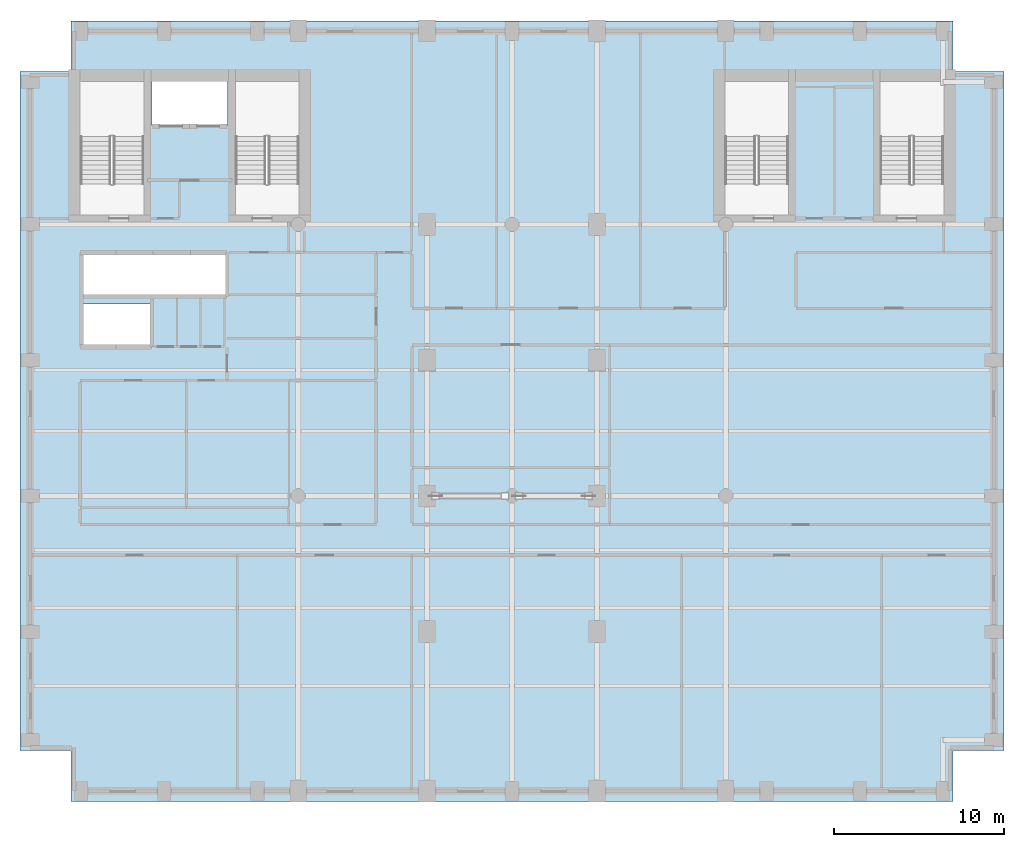
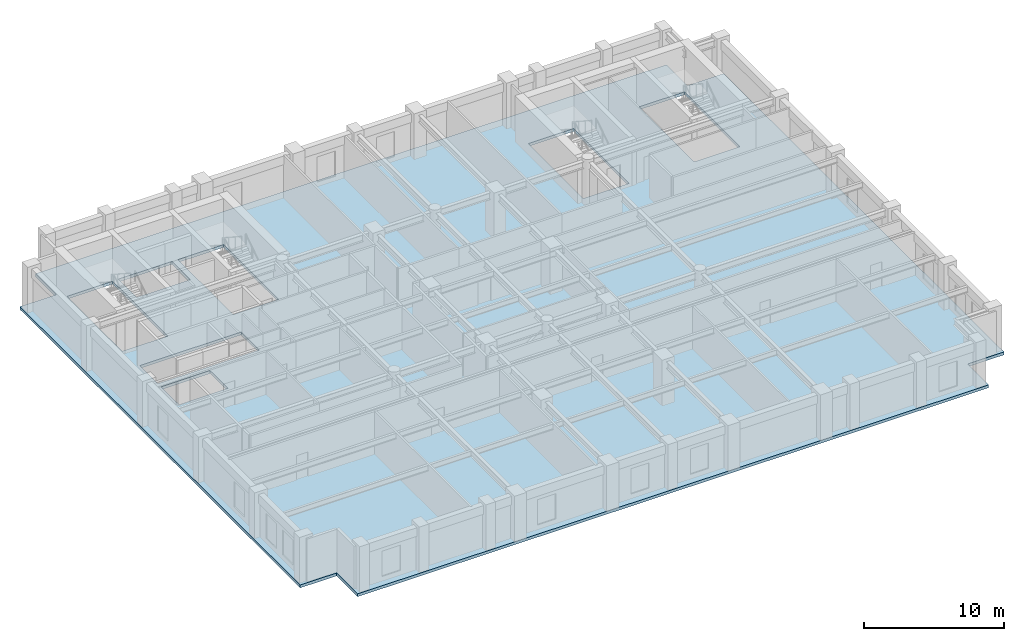
# One storey, part 4 of 11: 1 slab.
"""IFC4 building model written with IfcOpenShell, lengths in metres."""

from ifc_helpers import new_model, si_unit, direction, frame, origin, place, context, subcontext, project, spatial, polyline, outline, extrude, material, layer, layer_set, type_object, element, save


model = new_model("IFC4")

# Units and contexts
model_context = context("Model", 3, precision=1e-05, world=origin(), true_north=direction((0.0, 1.0)))
body_context = subcontext(model_context, "Body", "Model", "MODEL_VIEW")
ifc_project = project(units=[si_unit("LENGTHUNIT", "METRE"), si_unit("AREAUNIT", "SQUARE_METRE"), si_unit("VOLUMEUNIT", "CUBIC_METRE"), si_unit("PLANEANGLEUNIT", "RADIAN"), si_unit("MASSUNIT", "GRAM", prefix="KILO")], contexts=[model_context])

# Site, building, storey
site_placement = place(None, origin())
site = spatial("IfcSite", under=ifc_project, at=site_placement, CompositionType="ELEMENT")
building_placement = place(site_placement, origin())
building = spatial("IfcBuilding", under=site, at=building_placement, Name="Sulina Concourse Tower", CompositionType="ELEMENT")
storey_placement = place(building_placement, frame((0.0, 0.0, 218.60009765625)))
storey = spatial("IfcBuildingStorey", under=building, at=storey_placement, Name="L53", CompositionType="ELEMENT", Elevation=218.60009765625)

# Slab
ifc_material = material(Name="Concrete C50/60", Category="concrete")
ifc_layer = layer(ifc_material, 0.25)
ifc_layer_set = layer_set([ifc_layer], Name="Concrete C50/60")
slab_type = type_object("IfcSlabType", Name="High-Rise Composite Floor Slab 250mm", PredefinedType="FLOOR", material=ifc_layer_set)
slab_placement = place(storey_placement, frame((0.0, 0.0, -0.25)))
element("IfcSlab", 1, at=slab_placement, inside=storey, type_object=slab_type, Name="L53 structural floor slab", PredefinedType="FLOOR", context=body_context, shape_type="SweptSolid", body=[
    extrude(outline(polyline([(3.0, 0.0), (55.0, 0.0), (55.0, 3.0), (58.0, 3.0), (58.0, 43.0), (55.0, 43.0), (55.0, 46.0), (3.0, 46.0), (3.0, 43.0), (0.0, 43.0), (0.0, 3.0), (3.0, 3.0), (3.0, 0.0)]), holes=[polyline([(7.31005859375, 34.550048828125), (7.31005859375, 42.429931640625), (3.550048828125, 42.429931640625), (3.550048828125, 34.550048828125), (7.31005859375, 34.550048828125)]), polyline([(16.449951171875, 34.550048828125), (16.449951171875, 42.429931640625), (12.68994140625, 42.429931640625), (12.68994140625, 34.550048828125), (16.449951171875, 34.550048828125)]), polyline([(45.31005859375, 34.550048828125), (45.31005859375, 42.429931640625), (41.550048828125, 42.429931640625), (41.550048828125, 34.550048828125), (45.31005859375, 34.550048828125)]), polyline([(54.449951171875, 34.550048828125), (54.449951171875, 42.429931640625), (50.68994140625, 42.429931640625), (50.68994140625, 34.550048828125), (54.449951171875, 34.550048828125)]), polyline([(7.780029296875, 39.830078125), (12.219970703125, 39.830078125), (12.219970703125, 42.449951171875), (7.780029296875, 42.449951171875), (7.780029296875, 39.830078125)]), polyline([(3.739990234375, 26.780029296875), (7.77001953125, 26.780029296875), (7.77001953125, 29.320068359375), (3.739990234375, 29.320068359375), (3.739990234375, 26.780029296875)]), polyline([(3.739990234375, 29.780029296875), (12.10009765625, 29.780029296875), (12.10009765625, 32.3701171875), (3.739990234375, 32.3701171875), (3.739990234375, 29.780029296875)])]), origin(), (0.0, 0.0, 1.0), 0.25),
])

save(model, "model.ifc")
